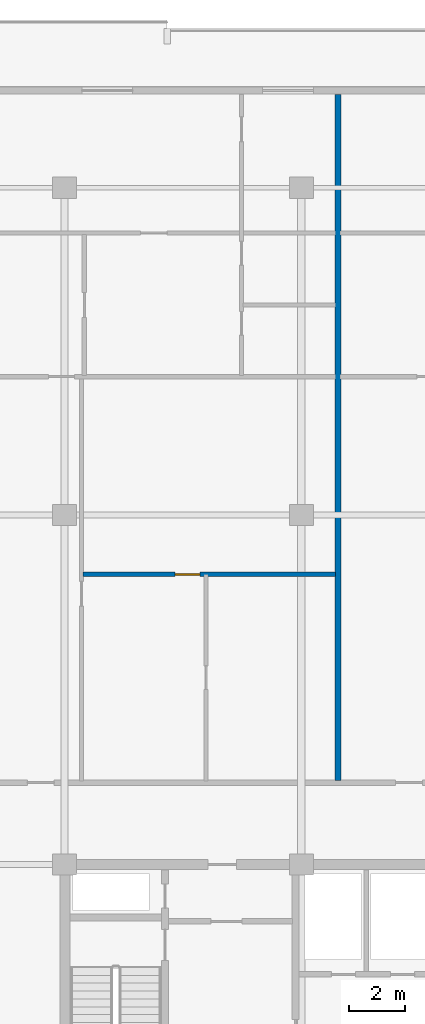
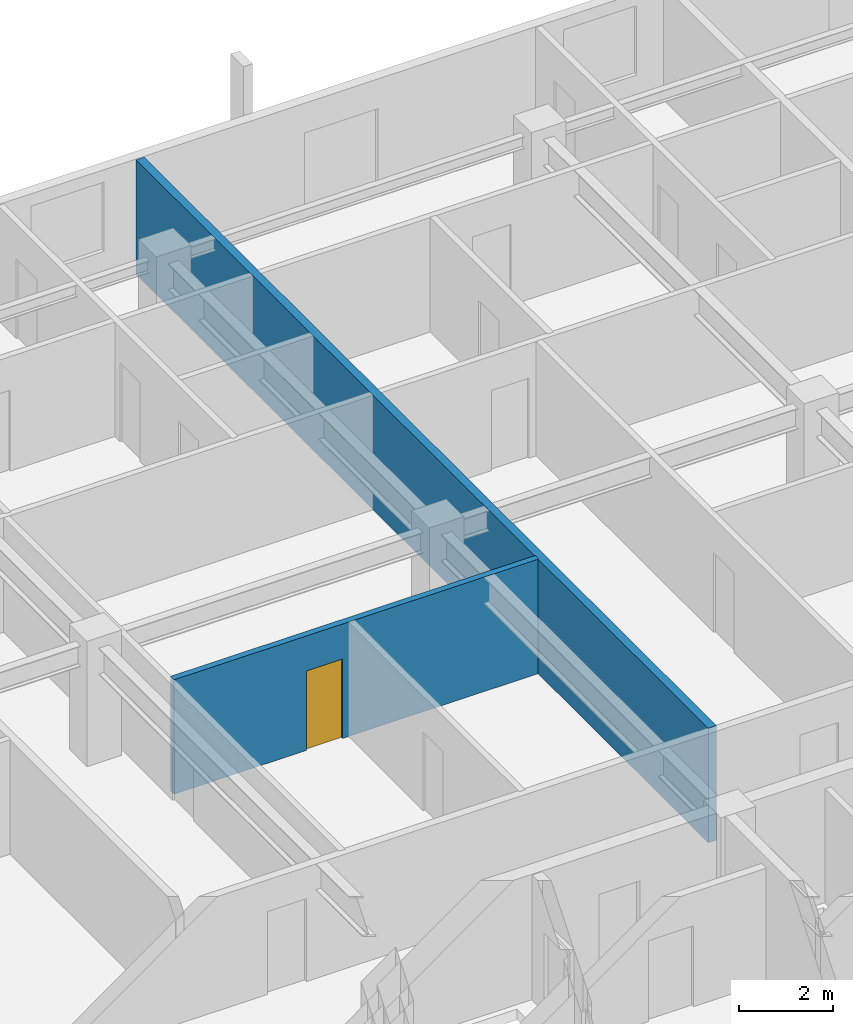
# One storey, part 4 of 11: 2 walls, 1 door, 1 opening.
"""IFC4 building model written with IfcOpenShell, lengths in metres."""

from ifc_helpers import new_model, si_unit, direction, frame, frame_2d, origin, place, context, subcontext, project, spatial, rectangle, extrude, material, layer, layer_set, type_object, element, fill, save


model = new_model("IFC4")

# Units and contexts
model_context = context("Model", 3, precision=1e-05, world=origin(), true_north=direction((0.0, 1.0)))
body_context = subcontext(model_context, "Body", "Model", "MODEL_VIEW")
ifc_project = project(units=[si_unit("LENGTHUNIT", "METRE"), si_unit("AREAUNIT", "SQUARE_METRE"), si_unit("VOLUMEUNIT", "CUBIC_METRE"), si_unit("PLANEANGLEUNIT", "RADIAN"), si_unit("MASSUNIT", "GRAM", prefix="KILO")], contexts=[model_context])

# Site, building, storey
site_placement = place(None, origin())
site = spatial("IfcSite", under=ifc_project, at=site_placement, CompositionType="ELEMENT")
building_placement = place(site_placement, origin())
building = spatial("IfcBuilding", under=site, at=building_placement, Name="Korimba Cascade Residences", CompositionType="ELEMENT")
storey_placement = place(building_placement, frame((0.0, 0.0, 210.85009765625)))
storey = spatial("IfcBuildingStorey", under=building, at=storey_placement, Name="L61", CompositionType="ELEMENT", Elevation=210.85009765625)

# Wall
ifc_material_1 = material(Name="Precast concrete C40/50", Category="concrete")
ifc_layer_1 = layer(ifc_material_1, 0.199951171875)
ifc_layer_set_1 = layer_set([ifc_layer_1], Name="Precast concrete C40/50")
wall_type_1 = type_object("IfcWallType", Name="WAL-IT-200", PredefinedType="PARTITIONING", material=ifc_layer_set_1)
wall_1_placement = place(storey_placement, frame((85.800048828125, 70.179931640625, 0.0), z_axis=(0.0, 0.0, 1.0), x_axis=(0.0, 1.0, 0.0)))
element("IfcWall", 1, at=wall_1_placement, inside=storey, type_object=wall_type_1, Name="L61 Partition Wall WAL-L61-T1-DEM-2", PredefinedType="PARTITIONING", context=body_context, shape_type="SweptSolid", body=[
    extrude(rectangle(XDim=24.320068359375, YDim=0.199951171875, at=frame_2d((12.16015625, 0.0))), origin(), (0.0, 0.0, 1.0), 2.969970703125),
])

# Wall, opening, door
ifc_material_2 = material(Name="Insulated Acoustic Stud Partition", Category="gypsum")
ifc_layer_2 = layer(ifc_material_2, 0.14990234375)
ifc_layer_set_2 = layer_set([ifc_layer_2], Name="Insulated Acoustic Stud Partition")
wall_type_2 = type_object("IfcWallType", Name="WAL-PART-150", PredefinedType="PARTITIONING", material=ifc_layer_set_2)
wall_2_placement = place(storey_placement, frame((76.76611328125, 77.489990234375, 0.0), z_axis=(0.0, 0.0, 1.0), x_axis=(1.0, 0.0, 0.0)))
wall_2 = element("IfcWall", 2, at=wall_2_placement, inside=storey, type_object=wall_type_2, Name="L61 Partition Wall WAL-L61-T1-U02-FMH", PredefinedType="PARTITIONING", context=body_context, shape_type="SweptSolid", body=[
    extrude(rectangle(XDim=8.953857421875, YDim=0.14990234375, at=frame_2d((4.47705078125, 0.0))), origin(), (0.0, 0.0, 1.0), 2.969970703125),
])
opening_placement = place(wall_2_placement, frame((3.257080078125, 0.0, 0.0)))
opening = element("IfcOpeningElement", 3, at=opening_placement, cuts=wall_2, Name="Opening D-IN2", PredefinedType="OPENING", context=body_context, shape_type="SweptSolid", body=[
    extrude(rectangle(XDim=0.8798828125, YDim=2.06005859375, at=frame_2d((0.43994140625, 1.030029296875))), frame((0.0, 0.0849609375, 0.0), z_axis=(0.0, -1.0, 0.0), x_axis=(1.0, 0.0, 0.0)), (0.0, 0.0, 1.0), 0.169921875),
])
ifc_material_3 = material(Name="Acoustic Timber Bedroom Door", Category="wood")
door_type = type_object("IfcDoorType", Name="DR-INT-880", OperationType="NOTDEFINED", PredefinedType="DOOR", material=ifc_material_3)
door_placement = place(opening_placement, origin())
door = element("IfcDoor", 4, at=door_placement, inside=storey, type_object=door_type, Name="L61-T1-U02 Library Salon Door", OperationType="SINGLE_SWING_LEFT", OverallHeight=2.06005859375, OverallWidth=0.8798828125, PredefinedType="DOOR", context=body_context, shape_type="SweptSolid", body=[
    extrude(rectangle(XDim=0.8798828125, YDim=2.06005859375, at=frame_2d((0.43994140625, 1.030029296875))), frame((0.0, 0.02490234375, 0.0), z_axis=(0.0, -1.0, 0.0), x_axis=(1.0, 0.0, 0.0)), (0.0, 0.0, 1.0), 0.050048828125),
])
fill(opening, door)

save(model, "model.ifc")
